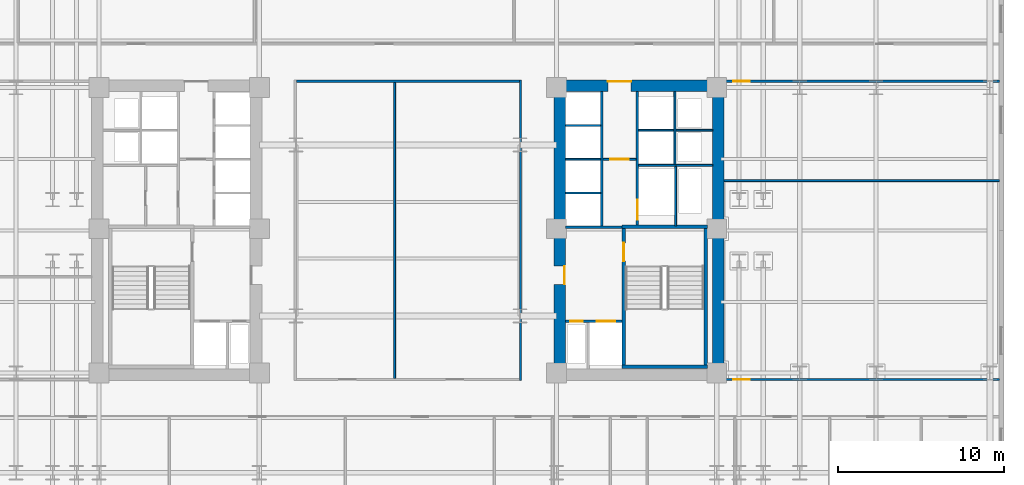
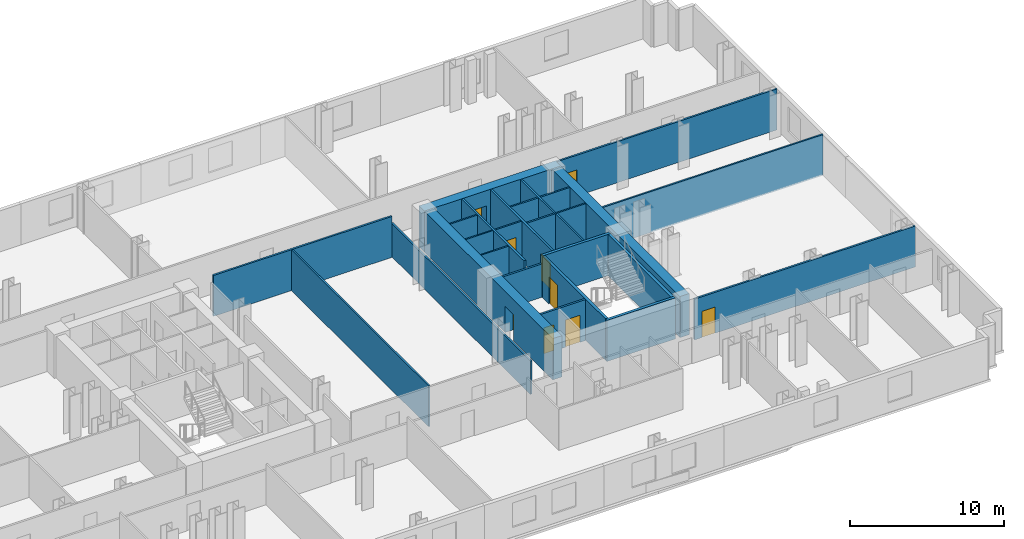
# One storey, part 6 of 10: 26 walls, 9 doors, 9 openings.
"""IFC4 building model written with IfcOpenShell, lengths in metres."""

from ifc_helpers import new_model, si_unit, direction, frame, frame_2d, origin, place, context, subcontext, project, spatial, rectangle, extrude, material, layer, layer_set, type_object, element, fill, save


model = new_model("IFC4")

# Units and contexts
model_context = context("Model", 3, precision=1e-05, world=origin(), true_north=direction((0.0, 1.0)))
body_context = subcontext(model_context, "Body", "Model", "MODEL_VIEW")
ifc_project = project(units=[si_unit("LENGTHUNIT", "METRE"), si_unit("AREAUNIT", "SQUARE_METRE"), si_unit("VOLUMEUNIT", "CUBIC_METRE"), si_unit("PLANEANGLEUNIT", "RADIAN"), si_unit("MASSUNIT", "GRAM", prefix="KILO")], contexts=[model_context])

# Site, building, storey
site_placement = place(None, origin())
site = spatial("IfcSite", under=ifc_project, at=site_placement, CompositionType="ELEMENT")
building_placement = place(site_placement, origin())
building = spatial("IfcBuilding", under=site, at=building_placement, Name="Velakula Bourse", CompositionType="ELEMENT")
storey_placement = place(building_placement, frame((0.0, 0.0, 41.550048828125)))
storey = spatial("IfcBuildingStorey", under=building, at=storey_placement, Name="L10", CompositionType="ELEMENT", Elevation=41.550048828125)

# Wall, opening, door
ifc_material_1 = material(Name="Concrete M50 (fck 50 MPa)", Category="concrete")
ifc_layer_1 = layer(ifc_material_1, 0.2099609375, Name="Concrete M50 (fck 50 MPa)", Category="concrete")
ifc_layer_set_1 = layer_set([ifc_layer_1], Name="Concrete M50 (fck 50 MPa)")
wall_type_1 = type_object("IfcWallType", Name="WL-CORE-210", PredefinedType="SHEAR", material=ifc_layer_set_1)
wall_1_placement = place(storey_placement, frame((12.9951171875, -8.10009765625, 0.0), z_axis=(0.0, 0.0, 1.0), x_axis=(0.0, 1.0, 0.0)))
wall_1 = element("IfcWall", 1, at=wall_1_placement, inside=storey, type_object=wall_type_1, Name="L10 Core E Stairwell Shear Wall IN", PredefinedType="SHEAR", context=body_context, shape_type="SweptSolid", body=[
    extrude(rectangle(XDim=8.2001953125, YDim=0.2099609375, at=frame_2d((4.10009765625, 0.0))), origin(), (0.0, 0.0, 1.0), 3.27001953125),
])
opening_1_placement = place(wall_1_placement, frame((6.25, 0.0, 0.0)))
opening_1 = element("IfcOpeningElement", 2, at=opening_1_placement, cuts=wall_1, Name="Opening D-STE1", PredefinedType="OPENING", context=body_context, shape_type="SweptSolid", body=[
    extrude(rectangle(XDim=1.10009765625, YDim=2.14990234375, at=frame_2d((0.550048828125, 1.074951171875))), frame((0.0, 0.114990234375, 0.0), z_axis=(0.0, -1.0, 0.0), x_axis=(1.0, 0.0, 0.0)), (0.0, 0.0, 1.0), 0.22998046875),
])
ifc_material_2 = material(Name="Galvanised painted hollow steel fire door", Category="steel")
door_type_1 = type_object("IfcDoorType", Name="DR-FD120-1100x2150", OperationType="NOTDEFINED", PredefinedType="DOOR", material=ifc_material_2)
door_1_placement = place(opening_1_placement, origin())
door_1 = element("IfcDoor", 3, at=door_1_placement, inside=storey, type_object=door_type_1, Name="L10 Stair ST-E1 Fire Door", OperationType="SINGLE_SWING_RIGHT", OverallHeight=2.14990234375, OverallWidth=1.10009765625, PredefinedType="DOOR", context=body_context, shape_type="SweptSolid", body=[
    extrude(rectangle(XDim=1.10009765625, YDim=2.14990234375, at=frame_2d((0.550048828125, 1.074951171875))), frame((0.0, 0.02490234375, 0.0), z_axis=(0.0, -1.0, 0.0), x_axis=(1.0, 0.0, 0.0)), (0.0, 0.0, 1.0), 0.050048828125),
])
fill(opening_1, door_1)

# Walls
wall_2_placement = place(storey_placement, frame((17.925048828125, -8.10009765625, 0.0), z_axis=(0.0, 0.0, 1.0), x_axis=(0.0, 1.0, 0.0)))
element("IfcWall", 4, at=wall_2_placement, inside=storey, type_object=wall_type_1, Name="L10 Core E Stairwell Shear Wall OUT", PredefinedType="SHEAR", context=body_context, shape_type="SweptSolid", body=[
    extrude(rectangle(XDim=8.2001953125, YDim=0.2099609375, at=frame_2d((4.10009765625, 0.0))), origin(), (0.0, 0.0, 1.0), 3.27001953125),
])
for number, where, z_axis, x_axis, name in (
    (5, (12.889892578125, -8.205078125, 0.0), (0.0, 0.0, 1.0), (1.0, 0.0, 0.0), "L10 Core E Stairwell Shear Wall S"),
    (6, (18.030029296875, 0.205078125, 0.0), (0.0, 0.0, 1.0), (-1.0, 0.0, 0.0), "L10 Core E Stairwell Shear Wall N"),
):
    element("IfcWall", number, at=place(storey_placement, frame(where, z_axis=z_axis, x_axis=x_axis)), inside=storey, type_object=wall_type_1, Name=name, PredefinedType="SHEAR", context=body_context, shape_type="SweptSolid", body=[
        extrude(rectangle(XDim=5.14013671875, YDim=0.2099609375, at=frame_2d((2.570068359375, 0.0))), origin(), (0.0, 0.0, 1.0), 3.27001953125),
    ])

# Wall, opening, door
ifc_material_3 = material(Name="Concrete M70 (fck 70 MPa)", Category="concrete")
ifc_layer_2 = layer(ifc_material_3, 0.699951171875, Name="Concrete M70 (fck 70 MPa)", Category="concrete")
ifc_layer_set_2 = layer_set([ifc_layer_2], Name="Concrete M70 (fck 70 MPa)")
wall_type_2 = type_object("IfcWallType", Name="WL-CORE-700", PredefinedType="SHEAR", material=ifc_layer_set_2)
wall_3_placement = place(storey_placement, frame((8.800048828125, 8.699951171875, 0.0), z_axis=(0.0, 0.0, 1.0), x_axis=(1.0, 0.0, 0.0)))
wall_3 = element("IfcWall", 7, at=wall_3_placement, inside=storey, type_object=wall_type_2, Name="L10 Core E Shear Wall N", PredefinedType="SHEAR", context=body_context, shape_type="SweptSolid", body=[
    extrude(rectangle(XDim=10.25, YDim=0.699951171875, at=frame_2d((5.125, 0.0))), origin(), (0.0, 0.0, 1.0), 3.27001953125),
])
opening_2_placement = place(wall_3_placement, frame((3.25, 0.0, 0.0)))
opening_2 = element("IfcOpeningElement", 8, at=opening_2_placement, cuts=wall_3, Name="Opening D-LLE", PredefinedType="OPENING", context=body_context, shape_type="SweptSolid", body=[
    extrude(rectangle(XDim=1.39990234375, YDim=2.050048828125, at=frame_2d((0.699951171875, 1.02490234375))), frame((0.0, 0.35986328125, 0.0), z_axis=(0.0, -1.0, 0.0), x_axis=(1.0, 0.0, 0.0)), (0.0, 0.0, 1.0), 0.719970703125),
])
ifc_material_4 = material(Name="Fire-rated hardwood flush architectural door", Category="wood")
door_type_2 = type_object("IfcDoorType", Name="DR-DBL-FD60-1400", OperationType="DOUBLE_DOOR_SINGLE_SWING", PredefinedType="DOOR", material=ifc_material_4)
door_2_placement = place(opening_2_placement, origin())
door_2 = element("IfcDoor", 9, at=door_2_placement, inside=storey, type_object=door_type_2, Name="L10 Core E Lift Lobby Corridor Double Door", OperationType="DOUBLE_DOOR_SINGLE_SWING", OverallHeight=2.050048828125, OverallWidth=1.39990234375, PredefinedType="DOOR", context=body_context, shape_type="SweptSolid", body=[
    extrude(rectangle(XDim=1.39990234375, YDim=2.050048828125, at=frame_2d((0.699951171875, 1.02490234375))), frame((0.0, 0.294921875, 0.0), z_axis=(0.0, -1.0, 0.0), x_axis=(1.0, 0.0, 0.0)), (0.0, 0.0, 1.0), 0.050048828125),
])
fill(opening_2, door_2)

wall_4_placement = place(storey_placement, frame((9.14990234375, -8.35009765625, 0.0), z_axis=(0.0, 0.0, 1.0), x_axis=(0.0, 1.0, 0.0)))
wall_4 = element("IfcWall", 10, at=wall_4_placement, inside=storey, type_object=wall_type_2, Name="L10 Core E Shear Wall W", PredefinedType="SHEAR", context=body_context, shape_type="SweptSolid", body=[
    extrude(rectangle(XDim=16.7001953125, YDim=0.699951171875, at=frame_2d((8.35009765625, 0.0))), origin(), (0.0, 0.0, 1.0), 3.27001953125),
])
opening_3_placement = place(wall_4_placement, frame((5.10009765625, 0.0, 0.0)))
opening_3 = element("IfcOpeningElement", 11, at=opening_3_placement, cuts=wall_4, Name="Opening D-FLE", PredefinedType="OPENING", context=body_context, shape_type="SweptSolid", body=[
    extrude(rectangle(XDim=1.10009765625, YDim=2.080078125, at=frame_2d((0.550048828125, 1.0400390625))), frame((0.0, 0.35986328125, 0.0), z_axis=(0.0, -1.0, 0.0), x_axis=(1.0, 0.0, 0.0)), (0.0, 0.0, 1.0), 0.719970703125),
])
door_type_3 = type_object("IfcDoorType", Name="DR-FD120-1100", OperationType="NOTDEFINED", PredefinedType="DOOR", material=ifc_material_2)
door_3_placement = place(opening_3_placement, origin())
door_3 = element("IfcDoor", 12, at=door_3_placement, inside=storey, type_object=door_type_3, Name="L10 Firefighting Lobby E Corridor Fire Door", OperationType="SINGLE_SWING_RIGHT", OverallHeight=2.080078125, OverallWidth=1.10009765625, PredefinedType="DOOR", context=body_context, shape_type="SweptSolid", body=[
    extrude(rectangle(XDim=1.10009765625, YDim=2.080078125, at=frame_2d((0.550048828125, 1.0400390625))), frame((0.0, -0.2548828125, 0.0), z_axis=(0.0, -1.0, 0.0), x_axis=(1.0, 0.0, 0.0)), (0.0, 0.0, 1.0), 0.050048828125),
])
fill(opening_3, door_3)

# Wall
wall_5_placement = place(storey_placement, frame((18.699951171875, -8.35009765625, 0.0), z_axis=(0.0, 0.0, 1.0), x_axis=(0.0, 1.0, 0.0)))
element("IfcWall", 13, at=wall_5_placement, inside=storey, type_object=wall_type_2, Name="L10 Core E Shear Wall E", PredefinedType="SHEAR", context=body_context, shape_type="SweptSolid", body=[
    extrude(rectangle(XDim=16.7001953125, YDim=0.699951171875, at=frame_2d((8.35009765625, 0.0))), origin(), (0.0, 0.0, 1.0), 3.27001953125),
])

# Wall, opening, door
ifc_material_5 = material(Name="Fire-rated double-layer gypsum drywall partition", Category="gypsum")
ifc_layer_3 = layer(ifc_material_5, 0.1201171875, Name="Fire-rated double-layer gypsum drywall partition", Category="gypsum")
ifc_layer_set_3 = layer_set([ifc_layer_3], Name="Fire-rated double-layer gypsum drywall partition")
wall_type_3 = type_object("IfcWallType", Name="WL-PART-120", PredefinedType="STANDARD", material=ifc_layer_set_3)
wall_6_placement = place(storey_placement, frame((11.75, 4.280029296875, 0.0), z_axis=(0.0, 0.0, 1.0), x_axis=(1.0, 0.0, 0.0)))
wall_6 = element("IfcWall", 14, at=wall_6_placement, inside=storey, type_object=wall_type_3, Name="L10 Interior Partition WL-CRE-L10-LL-K2", PredefinedType="STANDARD", context=body_context, shape_type="SweptSolid", body=[
    extrude(rectangle(XDim=2.0, YDim=0.1201171875, at=frame_2d((1.0, 0.0))), origin(), (0.0, 0.0, 1.0), 3.25),
])
opening_4_placement = place(wall_6_placement, frame((0.449951171875, 0.0, 0.0)))
opening_4 = element("IfcOpeningElement", 15, at=opening_4_placement, cuts=wall_6, Name="Opening D-LK2", PredefinedType="OPENING", context=body_context, shape_type="SweptSolid", body=[
    extrude(rectangle(XDim=1.10009765625, YDim=2.10009765625, at=frame_2d((0.550048828125, 1.050048828125))), frame((0.0, 0.070068359375, 0.0), z_axis=(0.0, -1.0, 0.0), x_axis=(1.0, 0.0, 0.0)), (0.0, 0.0, 1.0), 0.14013671875),
])
door_type_4 = type_object("IfcDoorType", Name="DR-FD60-1100x2100", OperationType="NOTDEFINED", PredefinedType="DOOR", material=ifc_material_4)
door_4_placement = place(opening_4_placement, origin())
door_4 = element("IfcDoor", 16, at=door_4_placement, inside=storey, type_object=door_type_4, Name="L10 Core E Lift Lobby Zone Door", OperationType="SINGLE_SWING_LEFT", OverallHeight=2.10009765625, OverallWidth=1.10009765625, PredefinedType="DOOR", context=body_context, shape_type="SweptSolid", body=[
    extrude(rectangle(XDim=1.10009765625, YDim=2.10009765625, at=frame_2d((0.550048828125, 1.050048828125))), frame((0.0, 0.02490234375, 0.0), z_axis=(0.0, -1.0, 0.0), x_axis=(1.0, 0.0, 0.0)), (0.0, 0.0, 1.0), 0.050048828125),
])
fill(opening_4, door_4)

# Walls
for number, where, z_axis, x_axis, name in (
    (17, (9.5, 2.2548828125, 0.0), (0.0, 0.0, 1.0), (1.0, 0.0, 0.0), "L10 Interior Partition WL-CRE-L10-BDIV-0"),
    (18, (9.5, 4.284912109375, 0.0), (0.0, 0.0, 1.0), (1.0, 0.0, 0.0), "L10 Interior Partition WL-CRE-L10-BDIV-1"),
    (19, (9.5, 6.31494140625, 0.0), (0.0, 0.0, 1.0), (1.0, 0.0, 0.0), "L10 Interior Partition WL-CRE-L10-BDIV-2"),
):
    element("IfcWall", number, at=place(storey_placement, frame(where, z_axis=z_axis, x_axis=x_axis)), inside=storey, type_object=wall_type_3, Name=name, PredefinedType="STANDARD", context=body_context, shape_type="SweptSolid", body=[
        extrude(rectangle(XDim=2.10009765625, YDim=0.110107421875, at=frame_2d((1.050048828125, 0.0))), origin(), (0.0, 0.0, 1.0), 3.25),
    ])
wall_7_placement = place(storey_placement, frame((13.89990234375, 3.919921875, 0.0), z_axis=(0.0, 0.0, 1.0), x_axis=(1.0, 0.0, 0.0)))
element("IfcWall", 20, at=wall_7_placement, inside=storey, type_object=wall_type_3, Name="L10 Interior Partition WL-CRE-L10-HI-S", PredefinedType="STANDARD", context=body_context, shape_type="SweptSolid", body=[
    extrude(rectangle(XDim=4.4501953125, YDim=0.1201171875, at=frame_2d((2.22509765625, 0.0))), origin(), (0.0, 0.0, 1.0), 3.25),
])
wall_8_placement = place(storey_placement, frame((16.14990234375, 6.030029296875, 0.0), z_axis=(0.0, 0.0, 1.0), x_axis=(1.0, 0.0, 0.0)))
element("IfcWall", 21, at=wall_8_placement, inside=storey, type_object=wall_type_3, Name="L10 Interior Partition WL-CRE-L10-RIS-MID", PredefinedType="STANDARD", context=body_context, shape_type="SweptSolid", body=[
    extrude(rectangle(XDim=2.2001953125, YDim=0.1201171875, at=frame_2d((1.10009765625, 0.0))), origin(), (0.0, 0.0, 1.0), 3.25),
])
wall_9_placement = place(storey_placement, frame((16.074951171875, 3.97998046875, 0.0), z_axis=(0.0, 0.0, 1.0), x_axis=(0.0, 1.0, 0.0)))
element("IfcWall", 22, at=wall_9_placement, inside=storey, type_object=wall_type_3, Name="L10 Interior Partition WL-CRE-L10-RIS-F", PredefinedType="STANDARD", context=body_context, shape_type="SweptSolid", body=[
    extrude(rectangle(XDim=4.3701171875, YDim=0.1201171875, at=frame_2d((2.18505859375, 0.0))), origin(), (0.0, 0.0, 1.0), 3.25),
])
wall_10_placement = place(storey_placement, frame((13.89990234375, 6.030029296875, 0.0), z_axis=(0.0, 0.0, 1.0), x_axis=(1.0, 0.0, 0.0)))
element("IfcWall", 23, at=wall_10_placement, inside=storey, type_object=wall_type_3, Name="L10 Interior Partition WL-CRE-L10-HI-DIV", PredefinedType="STANDARD", context=body_context, shape_type="SweptSolid", body=[
    extrude(rectangle(XDim=2.10009765625, YDim=0.1201171875, at=frame_2d((1.050048828125, 0.0))), origin(), (0.0, 0.0, 1.0), 3.25),
])
wall_11_placement = place(storey_placement, frame((16.125, 0.27001953125, 0.0), z_axis=(0.0, 0.0, 1.0), x_axis=(0.0, 1.0, 0.0)))
element("IfcWall", 24, at=wall_11_placement, inside=storey, type_object=wall_type_3, Name="L10 Interior Partition WL-CRE-L10-SVL-E", PredefinedType="STANDARD", context=body_context, shape_type="SweptSolid", body=[
    extrude(rectangle(XDim=3.590087890625, YDim=0.1201171875, at=frame_2d((1.794921875, 0.0))), origin(), (0.0, 0.0, 1.0), 3.25),
])
wall_12_placement = place(storey_placement, frame((19.050048828125, 3.0, 0.0), z_axis=(0.0, 0.0, 1.0), x_axis=(1.0, 0.0, 0.0)))
element("IfcWall", 25, at=wall_12_placement, inside=storey, type_object=wall_type_3, Name="L10 Interior Partition WL-INT-L10-E-H", PredefinedType="STANDARD", context=body_context, shape_type="SweptSolid", body=[
    extrude(rectangle(XDim=16.570068359375, YDim=0.1201171875, at=frame_2d((8.28515625, 0.0))), origin(), (0.0, 0.0, 1.0), 3.25),
])

# Wall, opening, door
ifc_layer_4 = layer(ifc_material_5, 0.139892578125, Name="Fire-rated double-layer gypsum drywall partition", Category="gypsum")
ifc_layer_set_4 = layer_set([ifc_layer_4], Name="Fire-rated double-layer gypsum drywall partition")
wall_type_4 = type_object("IfcWallType", Name="WL-PART-140", PredefinedType="STANDARD", material=ifc_layer_set_4)
wall_13_placement = place(storey_placement, frame((19.050048828125, 8.97998046875, 0.0), z_axis=(0.0, 0.0, 1.0), x_axis=(1.0, 0.0, 0.0)))
wall_13 = element("IfcWall", 26, at=wall_13_placement, inside=storey, type_object=wall_type_4, Name="L10 Interior Partition WL-INT-L10-E-NC", PredefinedType="STANDARD", context=body_context, shape_type="SweptSolid", body=[
    extrude(rectangle(XDim=16.570068359375, YDim=0.139892578125, at=frame_2d((8.28515625, 0.0))), origin(), (0.0, 0.0, 1.0), 3.25),
])
opening_5_placement = place(wall_13_placement, frame((0.53955078125, 0.0, 0.0)))
opening_5 = element("IfcOpeningElement", 27, at=opening_5_placement, cuts=wall_13, Name="Opening D-OF1", PredefinedType="OPENING", context=body_context, shape_type="SweptSolid", body=[
    extrude(rectangle(XDim=1.0, YDim=2.080078125, at=frame_2d((0.5, 1.0400390625))), frame((0.0, 0.079833984375, 0.0), z_axis=(0.0, -1.0, 0.0), x_axis=(1.0, 0.0, 0.0)), (0.0, 0.0, 1.0), 0.159912109375),
])
door_type_5 = type_object("IfcDoorType", Name="DR-OFF-1000", OperationType="NOTDEFINED", PredefinedType="DOOR", material=ifc_material_4)
door_5_placement = place(opening_5_placement, origin())
door_5 = element("IfcDoor", 28, at=door_5_placement, inside=storey, type_object=door_type_5, Name="L10 Issuer Relations Office Door", OperationType="SINGLE_SWING_LEFT", OverallHeight=2.080078125, OverallWidth=1.0, PredefinedType="DOOR", context=body_context, shape_type="SweptSolid", body=[
    extrude(rectangle(XDim=1.0, YDim=2.080078125, at=frame_2d((0.5, 1.0400390625))), frame((0.0, 0.02490234375, 0.0), z_axis=(0.0, -1.0, 0.0), x_axis=(1.0, 0.0, 0.0)), (0.0, 0.0, 1.0), 0.050048828125),
])
fill(opening_5, door_5)

wall_14_placement = place(storey_placement, frame((19.050048828125, -8.97998046875, 0.0), z_axis=(0.0, 0.0, 1.0), x_axis=(1.0, 0.0, 0.0)))
wall_14 = element("IfcWall", 29, at=wall_14_placement, inside=storey, type_object=wall_type_4, Name="L10 Interior Partition WL-INT-L10-E-SC", PredefinedType="STANDARD", context=body_context, shape_type="SweptSolid", body=[
    extrude(rectangle(XDim=16.570068359375, YDim=0.139892578125, at=frame_2d((8.28515625, 0.0))), origin(), (0.0, 0.0, 1.0), 3.25),
])
opening_6_placement = place(wall_14_placement, frame((0.53955078125, 0.0, 0.0)))
opening_6 = element("IfcOpeningElement", 30, at=opening_6_placement, cuts=wall_14, Name="Opening D-OF1", PredefinedType="OPENING", context=body_context, shape_type="SweptSolid", body=[
    extrude(rectangle(XDim=1.0, YDim=2.080078125, at=frame_2d((0.5, 1.0400390625))), frame((0.0, 0.079833984375, 0.0), z_axis=(0.0, -1.0, 0.0), x_axis=(1.0, 0.0, 0.0)), (0.0, 0.0, 1.0), 0.159912109375),
])
door_6_placement = place(opening_6_placement, origin())
door_6 = element("IfcDoor", 31, at=door_6_placement, inside=storey, type_object=door_type_5, Name="L10 ESG Rating Analytics Workspace Door", OperationType="SINGLE_SWING_RIGHT", OverallHeight=2.080078125, OverallWidth=1.0, PredefinedType="DOOR", context=body_context, shape_type="SweptSolid", body=[
    extrude(rectangle(XDim=1.0, YDim=2.080078125, at=frame_2d((0.5, 1.0400390625))), frame((0.0, 0.02490234375, 0.0), z_axis=(0.0, -1.0, 0.0), x_axis=(1.0, 0.0, 0.0)), (0.0, 0.0, 1.0), 0.050048828125),
])
fill(opening_6, door_6)

# Walls
wall_15_placement = place(storey_placement, frame((6.780029296875, -9.050048828125, 0.0), z_axis=(0.0, 0.0, 1.0), x_axis=(0.0, 1.0, 0.0)))
element("IfcWall", 32, at=wall_15_placement, inside=storey, type_object=wall_type_4, Name="L10 Interior Partition WL-INT-L10-MID-E", PredefinedType="STANDARD", context=body_context, shape_type="SweptSolid", body=[
    extrude(rectangle(XDim=18.10009765625, YDim=0.139892578125, at=frame_2d((9.050048828125, 0.0))), origin(), (0.0, 0.0, 1.0), 2.64501953125),
])
wall_16_placement = place(storey_placement, frame((-6.7099609375, 8.97998046875, 0.0), z_axis=(0.0, 0.0, 1.0), x_axis=(1.0, 0.0, 0.0)))
element("IfcWall", 33, at=wall_16_placement, inside=storey, type_object=wall_type_4, Name="L10 Interior Partition WL-INT-L10-MID-N", PredefinedType="STANDARD", context=body_context, shape_type="SweptSolid", body=[
    extrude(rectangle(XDim=13.419921875, YDim=0.139892578125, at=frame_2d((6.7099609375, 0.0))), origin(), (0.0, 0.0, 1.0), 3.25),
])
wall_17_placement = place(storey_placement, frame((-0.800048828125, -8.909912109375, 0.0), z_axis=(0.0, 0.0, 1.0), x_axis=(0.0, 1.0, 0.0)))
element("IfcWall", 34, at=wall_17_placement, inside=storey, type_object=wall_type_4, Name="L10 Interior Partition WL-INT-L10-MDX", PredefinedType="STANDARD", context=body_context, shape_type="SweptSolid", body=[
    extrude(rectangle(XDim=17.81982421875, YDim=0.1201171875, at=frame_2d((8.909912109375, 0.0))), origin(), (0.0, 0.0, 1.0), 3.25),
])

# Wall, openings, doors
ifc_material_6 = material(Name="Autoclaved aerated concrete blockwork masonry", Category="masonry")
ifc_layer_5 = layer(ifc_material_6, 0.14990234375, Name="Autoclaved aerated concrete blockwork masonry", Category="masonry")
ifc_layer_set_5 = layer_set([ifc_layer_5], Name="Autoclaved aerated concrete blockwork masonry")
wall_type_5 = type_object("IfcWallType", Name="WL-SHAFT-150", PredefinedType="STANDARD", material=ifc_layer_set_5)
wall_18_placement = place(storey_placement, frame((9.5, -5.47509765625, 0.0), z_axis=(0.0, 0.0, 1.0), x_axis=(1.0, 0.0, 0.0)))
wall_18 = element("IfcWall", 35, at=wall_18_placement, inside=storey, type_object=wall_type_5, Name="L10 Interior Partition WL-CRE-L10-FFL-N", PredefinedType="STANDARD", context=body_context, shape_type="SweptSolid", body=[
    extrude(rectangle(XDim=3.39501953125, YDim=0.14990234375, at=frame_2d((1.697509765625, 0.0))), origin(), (0.0, 0.0, 1.0), 3.25),
])
opening_7_placement = place(wall_18_placement, frame((1.875, 0.0, 0.0)))
opening_7 = element("IfcOpeningElement", 36, at=opening_7_placement, cuts=wall_18, Name="Opening LD-FFL-2", PredefinedType="OPENING", context=body_context, shape_type="SweptSolid", body=[
    extrude(rectangle(XDim=1.10009765625, YDim=2.14990234375, at=frame_2d((0.550048828125, 1.074951171875))), frame((0.0, 0.0849609375, 0.0), z_axis=(0.0, -1.0, 0.0), x_axis=(1.0, 0.0, 0.0)), (0.0, 0.0, 1.0), 0.169921875),
])
opening_8_placement = place(wall_18_placement, frame((0.27490234375, 0.0, 0.0)))
opening_8 = element("IfcOpeningElement", 37, at=opening_8_placement, cuts=wall_18, Name="Opening D-RS1", PredefinedType="OPENING", context=body_context, shape_type="SweptSolid", body=[
    extrude(rectangle(XDim=0.75, YDim=2.050048828125, at=frame_2d((0.375, 1.02490234375))), frame((0.0, 0.0849609375, 0.0), z_axis=(0.0, -1.0, 0.0), x_axis=(1.0, 0.0, 0.0)), (0.0, 0.0, 1.0), 0.169921875),
])
door_type_6 = type_object("IfcDoorType", Name="DR-RISER-800", OperationType="NOTDEFINED", PredefinedType="DOOR", material=ifc_material_2)
door_7_placement = place(opening_8_placement, origin())
door_7 = element("IfcDoor", 38, at=door_7_placement, inside=storey, type_object=door_type_6, Name="L10 Fire Riser Access Door", OperationType="SINGLE_SWING_LEFT", OverallHeight=2.050048828125, OverallWidth=0.75, PredefinedType="DOOR", context=body_context, shape_type="SweptSolid", body=[
    extrude(rectangle(XDim=0.75, YDim=2.050048828125, at=frame_2d((0.375, 1.02490234375))), frame((0.0, 0.02490234375, 0.0), z_axis=(0.0, -1.0, 0.0), x_axis=(1.0, 0.0, 0.0)), (0.0, 0.0, 1.0), 0.050048828125),
])
fill(opening_8, door_7)
ifc_material_7 = material(Name="Brushed grade 316 stainless steel", Category="steel")
door_type_7 = type_object("IfcDoorType", Name="DR-SLIDE-FFL-1100", OperationType="DOUBLE_DOOR_SLIDING", PredefinedType="DOOR", material=ifc_material_7)
door_8_placement = place(opening_7_placement, origin())
door_8 = element("IfcDoor", 39, at=door_8_placement, inside=storey, type_object=door_type_7, Name="L10 Firefighting Lift FFL-2 Sliding Landing Door", OperationType="DOUBLE_DOOR_SLIDING", OverallHeight=2.14990234375, OverallWidth=1.10009765625, PredefinedType="DOOR", context=body_context, shape_type="SweptSolid", body=[
    extrude(rectangle(XDim=1.10009765625, YDim=2.14990234375, at=frame_2d((0.550048828125, 1.074951171875))), frame((0.0, 0.02490234375, 0.0), z_axis=(0.0, -1.0, 0.0), x_axis=(1.0, 0.0, 0.0)), (0.0, 0.0, 1.0), 0.050048828125),
])
fill(opening_7, door_8)

# Walls
wall_19_placement = place(storey_placement, frame((9.5, 0.18994140625, 0.0), z_axis=(0.0, 0.0, 1.0), x_axis=(1.0, 0.0, 0.0)))
element("IfcWall", 40, at=wall_19_placement, inside=storey, type_object=wall_type_5, Name="L10 Interior Partition WL-CRE-L10-FF-TOP", PredefinedType="STANDARD", context=body_context, shape_type="SweptSolid", body=[
    extrude(rectangle(XDim=3.389892578125, YDim=0.14990234375, at=frame_2d((1.69482421875, 0.0))), origin(), (0.0, 0.0, 1.0), 2.64501953125),
])
wall_20_placement = place(storey_placement, frame((11.675048828125, 0.27001953125, 0.0), z_axis=(0.0, 0.0, 1.0), x_axis=(0.0, 1.0, 0.0)))
element("IfcWall", 41, at=wall_20_placement, inside=storey, type_object=wall_type_5, Name="L10 Interior Partition WL-CRE-L10-BANK-F", PredefinedType="STANDARD", context=body_context, shape_type="SweptSolid", body=[
    extrude(rectangle(XDim=8.080078125, YDim=0.14990234375, at=frame_2d((4.0400390625, 0.0))), origin(), (0.0, 0.0, 1.0), 3.25),
])

# Wall, opening, door
wall_21_placement = place(storey_placement, frame((13.824951171875, 0.27001953125, 0.0), z_axis=(0.0, 0.0, 1.0), x_axis=(0.0, 1.0, 0.0)))
wall_21 = element("IfcWall", 42, at=wall_21_placement, inside=storey, type_object=wall_type_5, Name="L10 Interior Partition WL-CRE-L10-OUT-F", PredefinedType="STANDARD", context=body_context, shape_type="SweptSolid", body=[
    extrude(rectangle(XDim=8.080078125, YDim=0.14990234375, at=frame_2d((4.0400390625, 0.0))), origin(), (0.0, 0.0, 1.0), 3.25),
])
opening_9_placement = place(wall_21_placement, frame((0.3798828125, 0.0, 0.0)))
opening_9 = element("IfcOpeningElement", 43, at=opening_9_placement, cuts=wall_21, Name="Opening LD-SVL1", PredefinedType="OPENING", context=body_context, shape_type="SweptSolid", body=[
    extrude(rectangle(XDim=1.199951171875, YDim=2.10009765625, at=frame_2d((0.60009765625, 1.050048828125))), frame((0.0, 0.0849609375, 0.0), z_axis=(0.0, -1.0, 0.0), x_axis=(1.0, 0.0, 0.0)), (0.0, 0.0, 1.0), 0.169921875),
])
door_type_8 = type_object("IfcDoorType", Name="DR-SLIDE-LD-1200", OperationType="DOUBLE_DOOR_SLIDING", PredefinedType="DOOR", material=ifc_material_7)
door_9_placement = place(opening_9_placement, origin())
door_9 = element("IfcDoor", 44, at=door_9_placement, inside=storey, type_object=door_type_8, Name="L10 Service Lift SVL-1 Sliding Landing Door", OperationType="DOUBLE_DOOR_SLIDING", OverallHeight=2.10009765625, OverallWidth=1.199951171875, PredefinedType="DOOR", context=body_context, shape_type="SweptSolid", body=[
    extrude(rectangle(XDim=1.199951171875, YDim=2.10009765625, at=frame_2d((0.60009765625, 1.050048828125))), frame((0.0, 0.02490234375, 0.0), z_axis=(0.0, -1.0, 0.0), x_axis=(1.0, 0.0, 0.0)), (0.0, 0.0, 1.0), 0.050048828125),
])
fill(opening_9, door_9)

save(model, "model.ifc")
